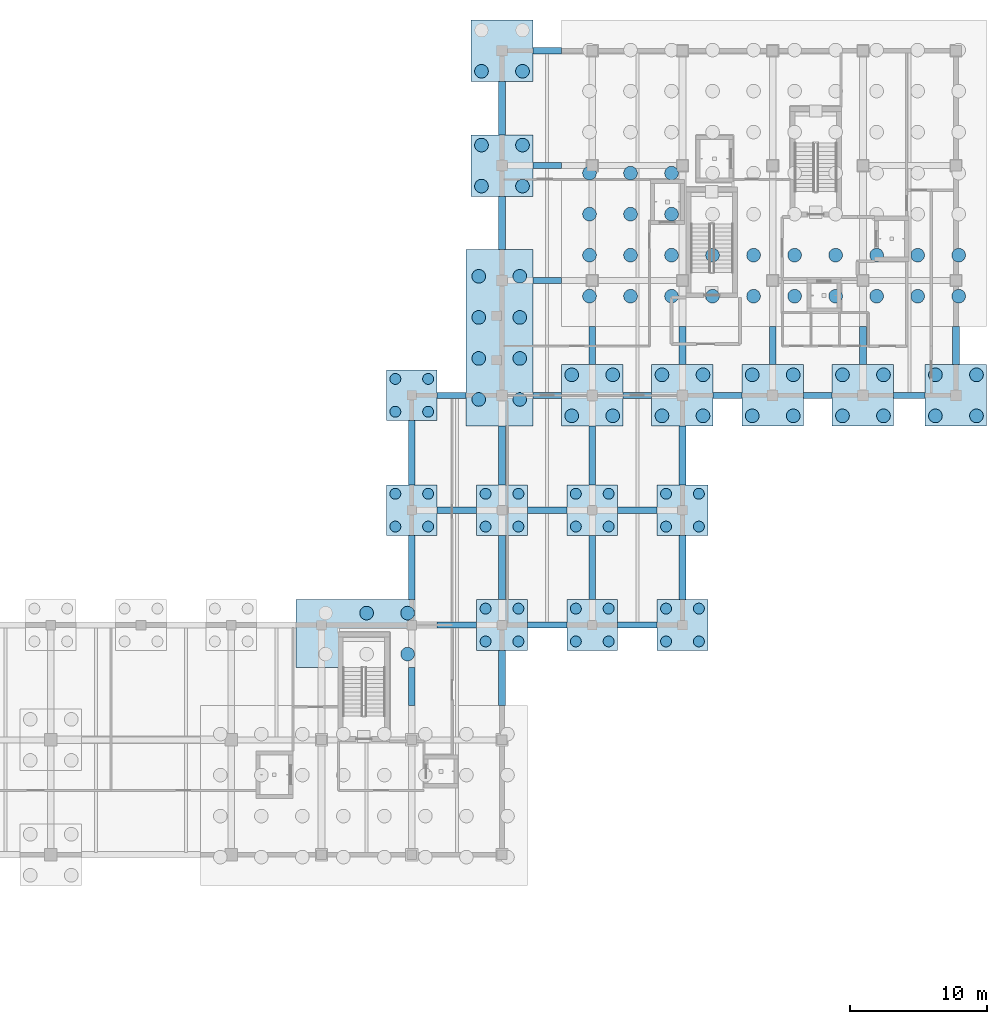
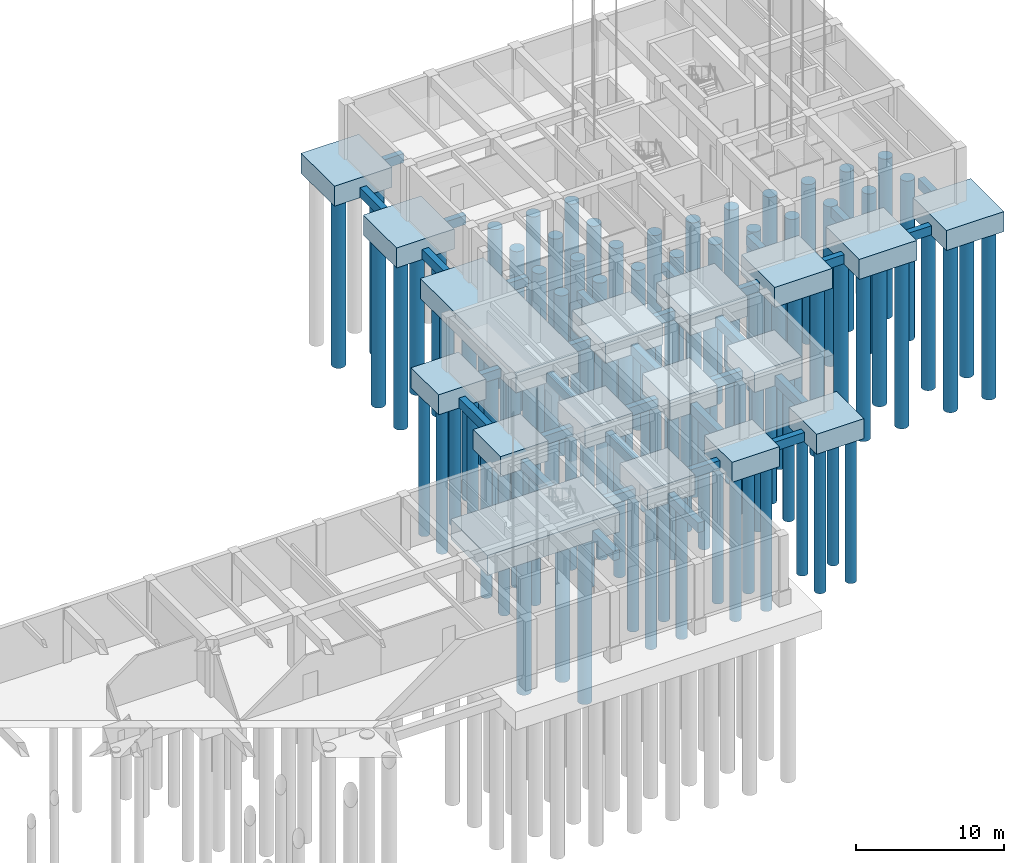
# One storey, part 4 of 44: 95 piles, 49 footings.
"""IFC4 building model written with IfcOpenShell, lengths in metres."""

from ifc_helpers import new_model, si_unit, direction, frame, origin, origin_2d, place, context, subcontext, project, spatial, rectangle, circle, extrude, material, material_profile, profile_set, type_object, element, save


model = new_model("IFC4")

# Units and contexts
model_context = context("Model", 3, precision=1e-05, world=origin(), true_north=direction((0.0, 1.0)))
body_context = subcontext(model_context, "Body", "Model", "MODEL_VIEW")
ifc_project = project(units=[si_unit("LENGTHUNIT", "METRE"), si_unit("AREAUNIT", "SQUARE_METRE"), si_unit("VOLUMEUNIT", "CUBIC_METRE"), si_unit("PLANEANGLEUNIT", "RADIAN"), si_unit("MASSUNIT", "GRAM", prefix="KILO")], contexts=[model_context])

# Site, building, storey
site_placement = place(None, origin())
site = spatial("IfcSite", under=ifc_project, at=site_placement, CompositionType="ELEMENT")
building_placement = place(site_placement, origin())
building = spatial("IfcBuilding", under=site, at=building_placement, Name="Kolvaren Faculty of Natural Sciences", CompositionType="ELEMENT")
storey_placement = place(building_placement, frame((0.0, 0.0, -4.5)))
storey = spatial("IfcBuildingStorey", under=building, at=storey_placement, Name="B01", CompositionType="ELEMENT", Elevation=-4.5)

# Piles
ifc_material = material(Name="Concrete C35/45", Category="concrete")
ifc_material_profile_1 = material_profile(ifc_material, circle(Radius=0.5, at=origin_2d()), Name="PILE D1000")
ifc_profile_set_1 = profile_set([ifc_material_profile_1], Name="Concrete C35/45")
pile_type_1 = type_object("IfcPileType", Name="BoredPile_1000", PredefinedType="BORED", material=ifc_profile_set_1)
for number, where, z_axis, x_axis, name in (
    (1, (128.89990234375, 43.074951171875, -1.949951171875), (0.0, 0.0, -1.0), (1.0, 0.0, 0.0), "Rock-socketed bored pile BP-1000 under CAP-063"),
    (2, (131.89990234375, 40.074951171875, -1.949951171875), (0.0, 0.0, -1.0), (1.0, 0.0, 0.0), "Rock-socketed bored pile BP-1000 under CAP-063"),
    (3, (131.89990234375, 43.074951171875, -1.949951171875), (0.0, 0.0, -1.0), (1.0, 0.0, 0.0), "Rock-socketed bored pile BP-1000 under CAP-063"),
    (4, (137.10009765625, 58.699951171875, -1.949951171875), (0.0, 0.0, -1.0), (1.0, 0.0, 0.0), "Rock-socketed bored pile BP-1000 under CAP-066"),
    (5, (137.10009765625, 61.699951171875, -1.949951171875), (0.0, 0.0, -1.0), (1.0, 0.0, 0.0), "Rock-socketed bored pile BP-1000 under CAP-066"),
    (6, (137.10009765625, 64.699951171875, -1.949951171875), (0.0, 0.0, -1.0), (1.0, 0.0, 0.0), "Rock-socketed bored pile BP-1000 under CAP-066"),
    (7, (137.10009765625, 67.699951171875, -1.949951171875), (0.0, 0.0, -1.0), (1.0, 0.0, 0.0), "Rock-socketed bored pile BP-1000 under CAP-066"),
    (8, (140.10009765625, 58.699951171875, -1.949951171875), (0.0, 0.0, -1.0), (1.0, 0.0, 0.0), "Rock-socketed bored pile BP-1000 under CAP-066"),
    (9, (140.10009765625, 61.699951171875, -1.949951171875), (0.0, 0.0, -1.0), (1.0, 0.0, 0.0), "Rock-socketed bored pile BP-1000 under CAP-066"),
    (10, (140.10009765625, 64.699951171875, -1.949951171875), (0.0, 0.0, -1.0), (1.0, 0.0, 0.0), "Rock-socketed bored pile BP-1000 under CAP-066"),
    (11, (140.10009765625, 67.699951171875, -1.949951171875), (0.0, 0.0, -1.0), (1.0, 0.0, 0.0), "Rock-socketed bored pile BP-1000 under CAP-066"),
    (12, (137.300048828125, 74.300048828125, -1.949951171875), (0.0, 0.0, -1.0), (1.0, 0.0, 0.0), "Rock-socketed bored pile BP-1000 under CAP-067"),
    (13, (137.300048828125, 77.300048828125, -1.949951171875), (0.0, 0.0, -1.0), (1.0, 0.0, 0.0), "Rock-socketed bored pile BP-1000 under CAP-067"),
    (14, (140.300048828125, 74.300048828125, -1.949951171875), (0.0, 0.0, -1.0), (1.0, 0.0, 0.0), "Rock-socketed bored pile BP-1000 under CAP-067"),
    (15, (140.300048828125, 77.300048828125, -1.949951171875), (0.0, 0.0, -1.0), (1.0, 0.0, 0.0), "Rock-socketed bored pile BP-1000 under CAP-067"),
    (16, (137.300048828125, 82.699951171875, -1.949951171875), (0.0, 0.0, -1.0), (1.0, 0.0, 0.0), "Rock-socketed bored pile BP-1000 under CAP-068"),
    (17, (140.300048828125, 82.699951171875, -1.949951171875), (0.0, 0.0, -1.0), (1.0, 0.0, 0.0), "Rock-socketed bored pile BP-1000 under CAP-068"),
    (18, (143.89990234375, 57.5, -1.949951171875), (0.0, 0.0, -1.0), (1.0, 0.0, 0.0), "Rock-socketed bored pile BP-1000 under CAP-071"),
    (19, (143.89990234375, 60.5, -1.949951171875), (0.0, 0.0, -1.0), (1.0, 0.0, 0.0), "Rock-socketed bored pile BP-1000 under CAP-071"),
    (20, (146.89990234375, 57.5, -1.949951171875), (0.0, 0.0, -1.0), (1.0, 0.0, 0.0), "Rock-socketed bored pile BP-1000 under CAP-071"),
    (21, (146.89990234375, 60.5, -1.949951171875), (0.0, 0.0, -1.0), (1.0, 0.0, 0.0), "Rock-socketed bored pile BP-1000 under CAP-071"),
):
    element("IfcPile", number, at=place(storey_placement, frame(where, z_axis=z_axis, x_axis=x_axis)), inside=storey, type_object=pile_type_1, Name=name, PredefinedType="BORED", context=body_context, shape_type="SweptSolid", body=[
        extrude(circle(Radius=0.5, at=origin_2d()), origin(), (0.0, 0.0, 1.0), 13.85009765625),
    ])
for number, where, z_axis, x_axis, name in (
    (22, (145.199951171875, 66.25, -2.60009765625), (0.0, 0.0, -1.0), (1.0, 0.0, 0.0), "Rock-socketed bored pile BP-1000 under CAP-072"),
    (23, (145.199951171875, 69.25, -2.60009765625), (0.0, 0.0, -1.0), (1.0, 0.0, 0.0), "Rock-socketed bored pile BP-1000 under CAP-072"),
    (24, (145.199951171875, 72.25, -2.60009765625), (0.0, 0.0, -1.0), (1.0, 0.0, 0.0), "Rock-socketed bored pile BP-1000 under CAP-072"),
    (25, (145.199951171875, 75.25, -2.60009765625), (0.0, 0.0, -1.0), (1.0, 0.0, 0.0), "Rock-socketed bored pile BP-1000 under CAP-072"),
    (26, (148.199951171875, 66.25, -2.60009765625), (0.0, 0.0, -1.0), (1.0, 0.0, 0.0), "Rock-socketed bored pile BP-1000 under CAP-072"),
    (27, (148.199951171875, 69.25, -2.60009765625), (0.0, 0.0, -1.0), (1.0, 0.0, 0.0), "Rock-socketed bored pile BP-1000 under CAP-072"),
    (28, (148.199951171875, 72.25, -2.60009765625), (0.0, 0.0, -1.0), (1.0, 0.0, 0.0), "Rock-socketed bored pile BP-1000 under CAP-072"),
    (29, (148.199951171875, 75.25, -2.60009765625), (0.0, 0.0, -1.0), (1.0, 0.0, 0.0), "Rock-socketed bored pile BP-1000 under CAP-072"),
    (30, (151.199951171875, 66.25, -2.60009765625), (0.0, 0.0, -1.0), (1.0, 0.0, 0.0), "Rock-socketed bored pile BP-1000 under CAP-072"),
    (31, (151.199951171875, 69.25, -2.60009765625), (0.0, 0.0, -1.0), (1.0, 0.0, 0.0), "Rock-socketed bored pile BP-1000 under CAP-072"),
    (32, (151.199951171875, 72.25, -2.60009765625), (0.0, 0.0, -1.0), (1.0, 0.0, 0.0), "Rock-socketed bored pile BP-1000 under CAP-072"),
    (33, (151.199951171875, 75.25, -2.60009765625), (0.0, 0.0, -1.0), (1.0, 0.0, 0.0), "Rock-socketed bored pile BP-1000 under CAP-072"),
    (34, (154.199951171875, 66.25, -2.60009765625), (0.0, 0.0, -1.0), (1.0, 0.0, 0.0), "Rock-socketed bored pile BP-1000 under CAP-072"),
    (35, (154.199951171875, 69.25, -2.60009765625), (0.0, 0.0, -1.0), (1.0, 0.0, 0.0), "Rock-socketed bored pile BP-1000 under CAP-072"),
    (36, (157.199951171875, 66.25, -2.60009765625), (0.0, 0.0, -1.0), (1.0, 0.0, 0.0), "Rock-socketed bored pile BP-1000 under CAP-072"),
    (37, (157.199951171875, 69.25, -2.60009765625), (0.0, 0.0, -1.0), (1.0, 0.0, 0.0), "Rock-socketed bored pile BP-1000 under CAP-072"),
    (38, (160.199951171875, 66.25, -2.60009765625), (0.0, 0.0, -1.0), (1.0, 0.0, 0.0), "Rock-socketed bored pile BP-1000 under CAP-072"),
    (39, (160.199951171875, 69.25, -2.60009765625), (0.0, 0.0, -1.0), (1.0, 0.0, 0.0), "Rock-socketed bored pile BP-1000 under CAP-072"),
    (40, (163.199951171875, 66.25, -2.60009765625), (0.0, 0.0, -1.0), (1.0, 0.0, 0.0), "Rock-socketed bored pile BP-1000 under CAP-072"),
    (41, (163.199951171875, 69.25, -2.60009765625), (0.0, 0.0, -1.0), (1.0, 0.0, 0.0), "Rock-socketed bored pile BP-1000 under CAP-072"),
    (42, (166.199951171875, 66.25, -2.60009765625), (0.0, 0.0, -1.0), (1.0, 0.0, 0.0), "Rock-socketed bored pile BP-1000 under CAP-072"),
    (43, (166.199951171875, 69.25, -2.60009765625), (0.0, 0.0, -1.0), (1.0, 0.0, 0.0), "Rock-socketed bored pile BP-1000 under CAP-072"),
    (44, (169.199951171875, 66.25, -2.60009765625), (0.0, 0.0, -1.0), (1.0, 0.0, 0.0), "Rock-socketed bored pile BP-1000 under CAP-072"),
    (45, (169.199951171875, 69.25, -2.60009765625), (0.0, 0.0, -1.0), (1.0, 0.0, 0.0), "Rock-socketed bored pile BP-1000 under CAP-072"),
    (46, (172.199951171875, 66.25, -2.60009765625), (0.0, 0.0, -1.0), (1.0, 0.0, 0.0), "Rock-socketed bored pile BP-1000 under CAP-072"),
    (47, (172.199951171875, 69.25, -2.60009765625), (0.0, 0.0, -1.0), (1.0, 0.0, 0.0), "Rock-socketed bored pile BP-1000 under CAP-072"),
):
    element("IfcPile", number, at=place(storey_placement, frame(where, z_axis=z_axis, x_axis=x_axis)), inside=storey, type_object=pile_type_1, Name=name, PredefinedType="BORED", context=body_context, shape_type="SweptSolid", body=[
        extrude(circle(Radius=0.5, at=origin_2d()), origin(), (0.0, 0.0, 1.0), 13.199951171875),
    ])
for number, where, z_axis, x_axis, name in (
    (48, (150.5, 57.5, -1.949951171875), (0.0, 0.0, -1.0), (1.0, 0.0, 0.0), "Rock-socketed bored pile BP-1000 under CAP-075"),
    (49, (150.5, 60.5, -1.949951171875), (0.0, 0.0, -1.0), (1.0, 0.0, 0.0), "Rock-socketed bored pile BP-1000 under CAP-075"),
    (50, (153.5, 57.5, -1.949951171875), (0.0, 0.0, -1.0), (1.0, 0.0, 0.0), "Rock-socketed bored pile BP-1000 under CAP-075"),
    (51, (153.5, 60.5, -1.949951171875), (0.0, 0.0, -1.0), (1.0, 0.0, 0.0), "Rock-socketed bored pile BP-1000 under CAP-075"),
    (52, (157.10009765625, 57.5, -1.949951171875), (0.0, 0.0, -1.0), (1.0, 0.0, 0.0), "Rock-socketed bored pile BP-1000 under CAP-078"),
    (53, (157.10009765625, 60.5, -1.949951171875), (0.0, 0.0, -1.0), (1.0, 0.0, 0.0), "Rock-socketed bored pile BP-1000 under CAP-078"),
    (54, (160.10009765625, 57.5, -1.949951171875), (0.0, 0.0, -1.0), (1.0, 0.0, 0.0), "Rock-socketed bored pile BP-1000 under CAP-078"),
    (55, (160.10009765625, 60.5, -1.949951171875), (0.0, 0.0, -1.0), (1.0, 0.0, 0.0), "Rock-socketed bored pile BP-1000 under CAP-078"),
    (56, (163.699951171875, 57.5, -1.949951171875), (0.0, 0.0, -1.0), (1.0, 0.0, 0.0), "Rock-socketed bored pile BP-1000 under CAP-079"),
    (57, (163.699951171875, 60.5, -1.949951171875), (0.0, 0.0, -1.0), (1.0, 0.0, 0.0), "Rock-socketed bored pile BP-1000 under CAP-079"),
    (58, (166.699951171875, 57.5, -1.949951171875), (0.0, 0.0, -1.0), (1.0, 0.0, 0.0), "Rock-socketed bored pile BP-1000 under CAP-079"),
    (59, (166.699951171875, 60.5, -1.949951171875), (0.0, 0.0, -1.0), (1.0, 0.0, 0.0), "Rock-socketed bored pile BP-1000 under CAP-079"),
    (60, (170.5, 57.5, -1.949951171875), (0.0, 0.0, -1.0), (1.0, 0.0, 0.0), "Rock-socketed bored pile BP-1000 under CAP-080"),
    (61, (170.5, 60.5, -1.949951171875), (0.0, 0.0, -1.0), (1.0, 0.0, 0.0), "Rock-socketed bored pile BP-1000 under CAP-080"),
    (62, (173.5, 57.5, -1.949951171875), (0.0, 0.0, -1.0), (1.0, 0.0, 0.0), "Rock-socketed bored pile BP-1000 under CAP-080"),
    (63, (173.5, 60.5, -1.949951171875), (0.0, 0.0, -1.0), (1.0, 0.0, 0.0), "Rock-socketed bored pile BP-1000 under CAP-080"),
):
    element("IfcPile", number, at=place(storey_placement, frame(where, z_axis=z_axis, x_axis=x_axis)), inside=storey, type_object=pile_type_1, Name=name, PredefinedType="BORED", context=body_context, shape_type="SweptSolid", body=[
        extrude(circle(Radius=0.5, at=origin_2d()), origin(), (0.0, 0.0, 1.0), 13.85009765625),
    ])
ifc_material_profile_2 = material_profile(ifc_material, circle(Radius=0.39990234375, at=origin_2d()), Name="PILE D800")
ifc_profile_set_2 = profile_set([ifc_material_profile_2], Name="Concrete C35/45")
pile_type_2 = type_object("IfcPileType", Name="BoredPile_800", PredefinedType="BORED", material=ifc_profile_set_2)
for number, where, z_axis, x_axis, name in (
    (64, (131.0, 49.39990234375, -1.949951171875), (0.0, 0.0, -1.0), (1.0, 0.0, 0.0), "Rock-socketed bored pile BP-800 under CAP-064"),
    (65, (131.0, 51.800048828125, -1.949951171875), (0.0, 0.0, -1.0), (1.0, 0.0, 0.0), "Rock-socketed bored pile BP-800 under CAP-064"),
    (66, (133.39990234375, 49.39990234375, -1.949951171875), (0.0, 0.0, -1.0), (1.0, 0.0, 0.0), "Rock-socketed bored pile BP-800 under CAP-064"),
    (67, (133.39990234375, 51.800048828125, -1.949951171875), (0.0, 0.0, -1.0), (1.0, 0.0, 0.0), "Rock-socketed bored pile BP-800 under CAP-064"),
    (68, (131.0, 57.800048828125, -1.949951171875), (0.0, 0.0, -1.0), (1.0, 0.0, 0.0), "Rock-socketed bored pile BP-800 under CAP-065"),
    (69, (131.0, 60.199951171875, -1.949951171875), (0.0, 0.0, -1.0), (1.0, 0.0, 0.0), "Rock-socketed bored pile BP-800 under CAP-065"),
    (70, (133.39990234375, 57.800048828125, -1.949951171875), (0.0, 0.0, -1.0), (1.0, 0.0, 0.0), "Rock-socketed bored pile BP-800 under CAP-065"),
    (71, (133.39990234375, 60.199951171875, -1.949951171875), (0.0, 0.0, -1.0), (1.0, 0.0, 0.0), "Rock-socketed bored pile BP-800 under CAP-065"),
    (72, (137.60009765625, 41.0, -1.949951171875), (0.0, 0.0, -1.0), (1.0, 0.0, 0.0), "Rock-socketed bored pile BP-800 under CAP-069"),
    (73, (137.60009765625, 43.39990234375, -1.949951171875), (0.0, 0.0, -1.0), (1.0, 0.0, 0.0), "Rock-socketed bored pile BP-800 under CAP-069"),
    (74, (140.0, 41.0, -1.949951171875), (0.0, 0.0, -1.0), (1.0, 0.0, 0.0), "Rock-socketed bored pile BP-800 under CAP-069"),
    (75, (140.0, 43.39990234375, -1.949951171875), (0.0, 0.0, -1.0), (1.0, 0.0, 0.0), "Rock-socketed bored pile BP-800 under CAP-069"),
    (76, (137.60009765625, 49.39990234375, -1.949951171875), (0.0, 0.0, -1.0), (1.0, 0.0, 0.0), "Rock-socketed bored pile BP-800 under CAP-070"),
    (77, (137.60009765625, 51.800048828125, -1.949951171875), (0.0, 0.0, -1.0), (1.0, 0.0, 0.0), "Rock-socketed bored pile BP-800 under CAP-070"),
    (78, (140.0, 49.39990234375, -1.949951171875), (0.0, 0.0, -1.0), (1.0, 0.0, 0.0), "Rock-socketed bored pile BP-800 under CAP-070"),
    (79, (140.0, 51.800048828125, -1.949951171875), (0.0, 0.0, -1.0), (1.0, 0.0, 0.0), "Rock-socketed bored pile BP-800 under CAP-070"),
    (80, (144.199951171875, 41.0, -1.949951171875), (0.0, 0.0, -1.0), (1.0, 0.0, 0.0), "Rock-socketed bored pile BP-800 under CAP-073"),
    (81, (144.199951171875, 43.39990234375, -1.949951171875), (0.0, 0.0, -1.0), (1.0, 0.0, 0.0), "Rock-socketed bored pile BP-800 under CAP-073"),
    (82, (146.60009765625, 41.0, -1.949951171875), (0.0, 0.0, -1.0), (1.0, 0.0, 0.0), "Rock-socketed bored pile BP-800 under CAP-073"),
    (83, (146.60009765625, 43.39990234375, -1.949951171875), (0.0, 0.0, -1.0), (1.0, 0.0, 0.0), "Rock-socketed bored pile BP-800 under CAP-073"),
    (84, (144.199951171875, 49.39990234375, -1.949951171875), (0.0, 0.0, -1.0), (1.0, 0.0, 0.0), "Rock-socketed bored pile BP-800 under CAP-074"),
    (85, (144.199951171875, 51.800048828125, -1.949951171875), (0.0, 0.0, -1.0), (1.0, 0.0, 0.0), "Rock-socketed bored pile BP-800 under CAP-074"),
    (86, (146.60009765625, 49.39990234375, -1.949951171875), (0.0, 0.0, -1.0), (1.0, 0.0, 0.0), "Rock-socketed bored pile BP-800 under CAP-074"),
    (87, (146.60009765625, 51.800048828125, -1.949951171875), (0.0, 0.0, -1.0), (1.0, 0.0, 0.0), "Rock-socketed bored pile BP-800 under CAP-074"),
    (88, (150.800048828125, 41.0, -1.949951171875), (0.0, 0.0, -1.0), (1.0, 0.0, 0.0), "Rock-socketed bored pile BP-800 under CAP-076"),
    (89, (150.800048828125, 43.39990234375, -1.949951171875), (0.0, 0.0, -1.0), (1.0, 0.0, 0.0), "Rock-socketed bored pile BP-800 under CAP-076"),
    (90, (153.199951171875, 41.0, -1.949951171875), (0.0, 0.0, -1.0), (1.0, 0.0, 0.0), "Rock-socketed bored pile BP-800 under CAP-076"),
    (91, (153.199951171875, 43.39990234375, -1.949951171875), (0.0, 0.0, -1.0), (1.0, 0.0, 0.0), "Rock-socketed bored pile BP-800 under CAP-076"),
    (92, (150.800048828125, 49.39990234375, -1.949951171875), (0.0, 0.0, -1.0), (1.0, 0.0, 0.0), "Rock-socketed bored pile BP-800 under CAP-077"),
    (93, (150.800048828125, 51.800048828125, -1.949951171875), (0.0, 0.0, -1.0), (1.0, 0.0, 0.0), "Rock-socketed bored pile BP-800 under CAP-077"),
    (94, (153.199951171875, 49.39990234375, -1.949951171875), (0.0, 0.0, -1.0), (1.0, 0.0, 0.0), "Rock-socketed bored pile BP-800 under CAP-077"),
    (95, (153.199951171875, 51.800048828125, -1.949951171875), (0.0, 0.0, -1.0), (1.0, 0.0, 0.0), "Rock-socketed bored pile BP-800 under CAP-077"),
):
    element("IfcPile", number, at=place(storey_placement, frame(where, z_axis=z_axis, x_axis=x_axis)), inside=storey, type_object=pile_type_2, Name=name, PredefinedType="BORED", context=body_context, shape_type="SweptSolid", body=[
        extrude(circle(Radius=0.39990234375, at=origin_2d()), origin(), (0.0, 0.0, 1.0), 11.949951171875),
    ])

# Footings
ifc_material_profile_3 = material_profile(ifc_material, rectangle(XDim=0.449951171875, YDim=0.75, at=origin_2d()), Name="RC FB 450x750")
ifc_profile_set_3 = profile_set([ifc_material_profile_3], Name="Concrete C35/45")
footing_type_1 = type_object("IfcFootingType", Name="FootingTieBeam_450x750", PredefinedType="FOOTING_BEAM", material=ifc_profile_set_3)
footing_1_placement = place(storey_placement, frame((134.050048828125, 42.199951171875, -1.60009765625), z_axis=(1.0, 0.0, 0.0), x_axis=(0.0, 1.0, 0.0)))
element("IfcFooting", 96, at=footing_1_placement, inside=storey, type_object=footing_type_1, Name="B01 orthogonal foundation tie beam FB-02", PredefinedType="FOOTING_BEAM", context=body_context, shape_type="SweptSolid", body=[
    extrude(rectangle(XDim=0.449951171875, YDim=0.75, at=origin_2d()), origin(), (0.0, 0.0, 1.0), 2.89990234375),
])
footing_2_placement = place(storey_placement, frame((140.64990234375, 42.199951171875, -1.60009765625), z_axis=(1.0, 0.0, 0.0), x_axis=(0.0, 1.0, 0.0)))
element("IfcFooting", 97, at=footing_2_placement, inside=storey, type_object=footing_type_1, Name="B01 orthogonal foundation tie beam FB-02", PredefinedType="FOOTING_BEAM", context=body_context, shape_type="SweptSolid", body=[
    extrude(rectangle(XDim=0.449951171875, YDim=0.75, at=origin_2d()), origin(), (0.0, 0.0, 1.0), 2.900146484375),
])
for number, where, z_axis, x_axis, name in (
    (98, (147.25, 42.199951171875, -1.60009765625), (1.0, 0.0, 0.0), (0.0, 1.0, 0.0), "B01 orthogonal foundation tie beam FB-02"),
    (99, (134.050048828125, 50.60009765625, -1.60009765625), (1.0, 0.0, 0.0), (0.0, 1.0, 0.0), "B01 orthogonal foundation tie beam FB-02"),
):
    element("IfcFooting", number, at=place(storey_placement, frame(where, z_axis=z_axis, x_axis=x_axis)), inside=storey, type_object=footing_type_1, Name=name, PredefinedType="FOOTING_BEAM", context=body_context, shape_type="SweptSolid", body=[
        extrude(rectangle(XDim=0.449951171875, YDim=0.75, at=origin_2d()), origin(), (0.0, 0.0, 1.0), 2.89990234375),
    ])
footing_3_placement = place(storey_placement, frame((140.64990234375, 50.60009765625, -1.60009765625), z_axis=(1.0, 0.0, 0.0), x_axis=(0.0, 1.0, 0.0)))
element("IfcFooting", 100, at=footing_3_placement, inside=storey, type_object=footing_type_1, Name="B01 orthogonal foundation tie beam FB-02", PredefinedType="FOOTING_BEAM", context=body_context, shape_type="SweptSolid", body=[
    extrude(rectangle(XDim=0.449951171875, YDim=0.75, at=origin_2d()), origin(), (0.0, 0.0, 1.0), 2.900146484375),
])
footing_4_placement = place(storey_placement, frame((147.25, 50.60009765625, -1.60009765625), z_axis=(1.0, 0.0, 0.0), x_axis=(0.0, 1.0, 0.0)))
element("IfcFooting", 101, at=footing_4_placement, inside=storey, type_object=footing_type_1, Name="B01 orthogonal foundation tie beam FB-02", PredefinedType="FOOTING_BEAM", context=body_context, shape_type="SweptSolid", body=[
    extrude(rectangle(XDim=0.449951171875, YDim=0.75, at=origin_2d()), origin(), (0.0, 0.0, 1.0), 2.89990234375),
])
for number, where, z_axis, x_axis, name in (
    (102, (134.050048828125, 59.0, -1.60009765625), (1.0, 0.0, 0.0), (0.0, 1.0, 0.0), "B01 orthogonal foundation tie beam FB-02"),
    (103, (141.050048828125, 59.0, -1.60009765625), (1.0, 0.0, 0.0), (0.0, 1.0, 0.0), "B01 orthogonal foundation tie beam FB-02"),
):
    element("IfcFooting", number, at=place(storey_placement, frame(where, z_axis=z_axis, x_axis=x_axis)), inside=storey, type_object=footing_type_1, Name=name, PredefinedType="FOOTING_BEAM", context=body_context, shape_type="SweptSolid", body=[
        extrude(rectangle(XDim=0.449951171875, YDim=0.75, at=origin_2d()), origin(), (0.0, 0.0, 1.0), 2.099853515625),
    ])
for number, where, z_axis, x_axis, name in (
    (104, (147.64990234375, 59.0, -1.60009765625), (1.0, 0.0, 0.0), (0.0, 1.0, 0.0), "B01 orthogonal foundation tie beam FB-02"),
    (105, (154.25, 59.0, -1.60009765625), (1.0, 0.0, 0.0), (0.0, 1.0, 0.0), "B01 orthogonal foundation tie beam FB-02"),
):
    element("IfcFooting", number, at=place(storey_placement, frame(where, z_axis=z_axis, x_axis=x_axis)), inside=storey, type_object=footing_type_1, Name=name, PredefinedType="FOOTING_BEAM", context=body_context, shape_type="SweptSolid", body=[
        extrude(rectangle(XDim=0.449951171875, YDim=0.75, at=origin_2d()), origin(), (0.0, 0.0, 1.0), 2.10009765625),
    ])
footing_5_placement = place(storey_placement, frame((160.85009765625, 59.0, -1.60009765625), z_axis=(1.0, 0.0, 0.0), x_axis=(0.0, 1.0, 0.0)))
element("IfcFooting", 106, at=footing_5_placement, inside=storey, type_object=footing_type_1, Name="B01 orthogonal foundation tie beam FB-02", PredefinedType="FOOTING_BEAM", context=body_context, shape_type="SweptSolid", body=[
    extrude(rectangle(XDim=0.449951171875, YDim=0.75, at=origin_2d()), origin(), (0.0, 0.0, 1.0), 2.099853515625),
])
footing_6_placement = place(storey_placement, frame((167.449951171875, 59.0, -1.60009765625), z_axis=(1.0, 0.0, 0.0), x_axis=(0.0, 1.0, 0.0)))
element("IfcFooting", 107, at=footing_6_placement, inside=storey, type_object=footing_type_1, Name="B01 orthogonal foundation tie beam FB-02", PredefinedType="FOOTING_BEAM", context=body_context, shape_type="SweptSolid", body=[
    extrude(rectangle(XDim=0.449951171875, YDim=0.75, at=origin_2d()), origin(), (0.0, 0.0, 1.0), 2.300048828125),
])
for number, where, z_axis, x_axis, name in (
    (108, (141.050048828125, 67.39990234375, -1.60009765625), (1.0, 0.0, 0.0), (0.0, 1.0, 0.0), "B01 orthogonal foundation tie beam FB-02"),
    (109, (141.050048828125, 75.800048828125, -1.60009765625), (1.0, 0.0, 0.0), (0.0, 1.0, 0.0), "B01 orthogonal foundation tie beam FB-02"),
    (110, (141.050048828125, 84.199951171875, -1.60009765625), (1.0, 0.0, 0.0), (0.0, 1.0, 0.0), "B01 orthogonal foundation tie beam FB-02"),
):
    element("IfcFooting", number, at=place(storey_placement, frame(where, z_axis=z_axis, x_axis=x_axis)), inside=storey, type_object=footing_type_1, Name=name, PredefinedType="FOOTING_BEAM", context=body_context, shape_type="SweptSolid", body=[
        extrude(rectangle(XDim=0.449951171875, YDim=0.75, at=origin_2d()), origin(), (0.0, 0.0, 1.0), 2.099853515625),
    ])
ifc_material_profile_4 = material_profile(ifc_material, rectangle(XDim=0.5, YDim=0.800048828125, at=origin_2d()), Name="RC FB 500x800")
ifc_profile_set_4 = profile_set([ifc_material_profile_4], Name="Concrete C35/45")
footing_type_2 = type_object("IfcFootingType", Name="FootingTieBeam_500x800", PredefinedType="FOOTING_BEAM", material=ifc_profile_set_4)
footing_7_placement = place(storey_placement, frame((132.199951171875, 36.300048828125, -1.6201171875), z_axis=(0.0, 1.0, 0.0), x_axis=(-1.0, 0.0, 0.0)))
element("IfcFooting", 111, at=footing_7_placement, inside=storey, type_object=footing_type_2, Name="B01 orthogonal foundation tie beam FB-03", PredefinedType="FOOTING_BEAM", context=body_context, shape_type="SweptSolid", body=[
    extrude(rectangle(XDim=0.5, YDim=0.800048828125, at=origin_2d()), origin(), (0.0, 0.0, 1.0), 2.800048828125),
])
for number, where, z_axis, x_axis, name in (
    (112, (132.199951171875, 44.050048828125, -1.6201171875), (0.0, 1.0, 0.0), (-1.0, 0.0, 0.0), "B01 orthogonal foundation tie beam FB-03"),
    (113, (132.199951171875, 52.449951171875, -1.6201171875), (0.0, 1.0, 0.0), (-1.0, 0.0, 0.0), "B01 orthogonal foundation tie beam FB-03"),
):
    element("IfcFooting", number, at=place(storey_placement, frame(where, z_axis=z_axis, x_axis=x_axis)), inside=storey, type_object=footing_type_2, Name=name, PredefinedType="FOOTING_BEAM", context=body_context, shape_type="SweptSolid", body=[
        extrude(rectangle(XDim=0.5, YDim=0.800048828125, at=origin_2d()), origin(), (0.0, 0.0, 1.0), 4.699951171875),
    ])
footing_8_placement = place(storey_placement, frame((138.800048828125, 36.300048828125, -1.6201171875), z_axis=(0.0, 1.0, 0.0), x_axis=(-1.0, 0.0, 0.0)))
element("IfcFooting", 114, at=footing_8_placement, inside=storey, type_object=footing_type_2, Name="B01 orthogonal foundation tie beam FB-03", PredefinedType="FOOTING_BEAM", context=body_context, shape_type="SweptSolid", body=[
    extrude(rectangle(XDim=0.5, YDim=0.800048828125, at=origin_2d()), origin(), (0.0, 0.0, 1.0), 4.050048828125),
])
footing_9_placement = place(storey_placement, frame((138.800048828125, 44.050048828125, -1.6201171875), z_axis=(0.0, 1.0, 0.0), x_axis=(-1.0, 0.0, 0.0)))
element("IfcFooting", 115, at=footing_9_placement, inside=storey, type_object=footing_type_2, Name="B01 orthogonal foundation tie beam FB-03", PredefinedType="FOOTING_BEAM", context=body_context, shape_type="SweptSolid", body=[
    extrude(rectangle(XDim=0.5, YDim=0.800048828125, at=origin_2d()), origin(), (0.0, 0.0, 1.0), 4.699951171875),
])
footing_10_placement = place(storey_placement, frame((138.800048828125, 52.449951171875, -1.6201171875), z_axis=(0.0, 1.0, 0.0), x_axis=(-1.0, 0.0, 0.0)))
element("IfcFooting", 116, at=footing_10_placement, inside=storey, type_object=footing_type_2, Name="B01 orthogonal foundation tie beam FB-03", PredefinedType="FOOTING_BEAM", context=body_context, shape_type="SweptSolid", body=[
    extrude(rectangle(XDim=0.5, YDim=0.800048828125, at=origin_2d()), origin(), (0.0, 0.0, 1.0), 4.300048828125),
])
footing_11_placement = place(storey_placement, frame((138.800048828125, 69.64990234375, -1.6201171875), z_axis=(0.0, 1.0, 0.0), x_axis=(-1.0, 0.0, 0.0)))
element("IfcFooting", 117, at=footing_11_placement, inside=storey, type_object=footing_type_2, Name="B01 orthogonal foundation tie beam FB-03", PredefinedType="FOOTING_BEAM", context=body_context, shape_type="SweptSolid", body=[
    extrude(rectangle(XDim=0.5, YDim=0.800048828125, at=origin_2d()), origin(), (0.0, 0.0, 1.0), 3.900146484375),
])
footing_12_placement = place(storey_placement, frame((138.800048828125, 78.050048828125, -1.6201171875), z_axis=(0.0, 1.0, 0.0), x_axis=(-1.0, 0.0, 0.0)))
element("IfcFooting", 118, at=footing_12_placement, inside=storey, type_object=footing_type_2, Name="B01 orthogonal foundation tie beam FB-03", PredefinedType="FOOTING_BEAM", context=body_context, shape_type="SweptSolid", body=[
    extrude(rectangle(XDim=0.5, YDim=0.800048828125, at=origin_2d()), origin(), (0.0, 0.0, 1.0), 3.89990234375),
])
footing_13_placement = place(storey_placement, frame((145.39990234375, 44.050048828125, -1.6201171875), z_axis=(0.0, 1.0, 0.0), x_axis=(-1.0, 0.0, 0.0)))
element("IfcFooting", 119, at=footing_13_placement, inside=storey, type_object=footing_type_2, Name="B01 orthogonal foundation tie beam FB-03", PredefinedType="FOOTING_BEAM", context=body_context, shape_type="SweptSolid", body=[
    extrude(rectangle(XDim=0.5, YDim=0.800048828125, at=origin_2d()), origin(), (0.0, 0.0, 1.0), 4.699951171875),
])
footing_14_placement = place(storey_placement, frame((145.39990234375, 52.449951171875, -1.6201171875), z_axis=(0.0, 1.0, 0.0), x_axis=(-1.0, 0.0, 0.0)))
element("IfcFooting", 120, at=footing_14_placement, inside=storey, type_object=footing_type_2, Name="B01 orthogonal foundation tie beam FB-03", PredefinedType="FOOTING_BEAM", context=body_context, shape_type="SweptSolid", body=[
    extrude(rectangle(XDim=0.5, YDim=0.800048828125, at=origin_2d()), origin(), (0.0, 0.0, 1.0), 4.300048828125),
])
footing_15_placement = place(storey_placement, frame((145.39990234375, 61.25, -1.6201171875), z_axis=(0.0, 1.0, 0.0), x_axis=(-1.0, 0.0, 0.0)))
element("IfcFooting", 121, at=footing_15_placement, inside=storey, type_object=footing_type_2, Name="B01 orthogonal foundation tie beam FB-03", PredefinedType="FOOTING_BEAM", context=body_context, shape_type="SweptSolid", body=[
    extrude(rectangle(XDim=0.5, YDim=0.800048828125, at=origin_2d()), origin(), (0.0, 0.0, 1.0), 2.800048828125),
])
footing_16_placement = place(storey_placement, frame((152.0, 44.050048828125, -1.6201171875), z_axis=(0.0, 1.0, 0.0), x_axis=(-1.0, 0.0, 0.0)))
element("IfcFooting", 122, at=footing_16_placement, inside=storey, type_object=footing_type_2, Name="B01 orthogonal foundation tie beam FB-03", PredefinedType="FOOTING_BEAM", context=body_context, shape_type="SweptSolid", body=[
    extrude(rectangle(XDim=0.5, YDim=0.800048828125, at=origin_2d()), origin(), (0.0, 0.0, 1.0), 4.699951171875),
])
footing_17_placement = place(storey_placement, frame((152.0, 52.449951171875, -1.6201171875), z_axis=(0.0, 1.0, 0.0), x_axis=(-1.0, 0.0, 0.0)))
element("IfcFooting", 123, at=footing_17_placement, inside=storey, type_object=footing_type_2, Name="B01 orthogonal foundation tie beam FB-03", PredefinedType="FOOTING_BEAM", context=body_context, shape_type="SweptSolid", body=[
    extrude(rectangle(XDim=0.5, YDim=0.800048828125, at=origin_2d()), origin(), (0.0, 0.0, 1.0), 4.300048828125),
])
for number, where, z_axis, x_axis, name in (
    (124, (152.0, 61.25, -1.6201171875), (0.0, 1.0, 0.0), (-1.0, 0.0, 0.0), "B01 orthogonal foundation tie beam FB-03"),
    (125, (158.60009765625, 61.25, -1.6201171875), (0.0, 1.0, 0.0), (-1.0, 0.0, 0.0), "B01 orthogonal foundation tie beam FB-03"),
    (126, (165.199951171875, 61.25, -1.6201171875), (0.0, 1.0, 0.0), (-1.0, 0.0, 0.0), "B01 orthogonal foundation tie beam FB-03"),
    (127, (172.0, 61.25, -1.6201171875), (0.0, 1.0, 0.0), (-1.0, 0.0, 0.0), "B01 orthogonal foundation tie beam FB-03"),
):
    element("IfcFooting", number, at=place(storey_placement, frame(where, z_axis=z_axis, x_axis=x_axis)), inside=storey, type_object=footing_type_2, Name=name, PredefinedType="FOOTING_BEAM", context=body_context, shape_type="SweptSolid", body=[
        extrude(rectangle(XDim=0.5, YDim=0.800048828125, at=origin_2d()), origin(), (0.0, 0.0, 1.0), 2.800048828125),
    ])
footing_type_3 = type_object("IfcFootingType", Name="PileCap_10300x4950x1650", PredefinedType="PILE_CAP", material=ifc_material)
footing_18_placement = place(storey_placement, frame((128.89990234375, 41.574951171875, -2.050048828125), z_axis=(0.0, 0.0, 1.0), x_axis=(1.0, 0.0, 0.0)))
element("IfcFooting", 128, at=footing_18_placement, inside=storey, type_object=footing_type_3, Name="B01 reinforced concrete pile cap PC-07 (CAP-063)", PredefinedType="PILE_CAP", context=body_context, shape_type="SweptSolid", body=[
    extrude(rectangle(XDim=10.300048828125, YDim=4.949951171875, at=origin_2d()), origin(), (0.0, 0.0, 1.0), 1.64990234375),
])
footing_type_4 = type_object("IfcFootingType", Name="PileCap_3700x3700x1650", PredefinedType="PILE_CAP", material=ifc_material)
for number, where, z_axis, x_axis, name in (
    (129, (132.199951171875, 50.60009765625, -2.050048828125), (0.0, 0.0, 1.0), (1.0, 0.0, 0.0), "B01 reinforced concrete pile cap PC-05 (CAP-064)"),
    (130, (132.199951171875, 59.0, -2.050048828125), (0.0, 0.0, 1.0), (1.0, 0.0, 0.0), "B01 reinforced concrete pile cap PC-05 (CAP-065)"),
    (131, (138.800048828125, 42.199951171875, -2.050048828125), (0.0, 0.0, 1.0), (1.0, 0.0, 0.0), "B01 reinforced concrete pile cap PC-05 (CAP-069)"),
    (132, (138.800048828125, 50.60009765625, -2.050048828125), (0.0, 0.0, 1.0), (1.0, 0.0, 0.0), "B01 reinforced concrete pile cap PC-05 (CAP-070)"),
    (133, (145.39990234375, 42.199951171875, -2.050048828125), (0.0, 0.0, 1.0), (1.0, 0.0, 0.0), "B01 reinforced concrete pile cap PC-05 (CAP-073)"),
    (134, (145.39990234375, 50.60009765625, -2.050048828125), (0.0, 0.0, 1.0), (1.0, 0.0, 0.0), "B01 reinforced concrete pile cap PC-05 (CAP-074)"),
    (135, (152.0, 42.199951171875, -2.050048828125), (0.0, 0.0, 1.0), (1.0, 0.0, 0.0), "B01 reinforced concrete pile cap PC-05 (CAP-076)"),
    (136, (152.0, 50.60009765625, -2.050048828125), (0.0, 0.0, 1.0), (1.0, 0.0, 0.0), "B01 reinforced concrete pile cap PC-05 (CAP-077)"),
):
    element("IfcFooting", number, at=place(storey_placement, frame(where, z_axis=z_axis, x_axis=x_axis)), inside=storey, type_object=footing_type_4, Name=name, PredefinedType="PILE_CAP", context=body_context, shape_type="SweptSolid", body=[
        extrude(rectangle(XDim=3.699951171875, YDim=3.699951171875, at=origin_2d()), origin(), (0.0, 0.0, 1.0), 1.64990234375),
    ])
footing_type_5 = type_object("IfcFootingType", Name="PileCap_4500x4500x1650", PredefinedType="PILE_CAP", material=ifc_material)
for number, where, z_axis, x_axis, name in (
    (137, (138.800048828125, 75.800048828125, -2.050048828125), (0.0, 0.0, 1.0), (1.0, 0.0, 0.0), "B01 reinforced concrete pile cap PC-11 (CAP-067)"),
    (138, (138.800048828125, 84.199951171875, -2.050048828125), (0.0, 0.0, 1.0), (1.0, 0.0, 0.0), "B01 reinforced concrete pile cap PC-11 (CAP-068)"),
    (139, (145.39990234375, 59.0, -2.050048828125), (0.0, 0.0, 1.0), (1.0, 0.0, 0.0), "B01 reinforced concrete pile cap PC-11 (CAP-071)"),
    (140, (152.0, 59.0, -2.050048828125), (0.0, 0.0, 1.0), (1.0, 0.0, 0.0), "B01 reinforced concrete pile cap PC-11 (CAP-075)"),
    (141, (158.60009765625, 59.0, -2.050048828125), (0.0, 0.0, 1.0), (1.0, 0.0, 0.0), "B01 reinforced concrete pile cap PC-11 (CAP-078)"),
    (142, (165.199951171875, 59.0, -2.050048828125), (0.0, 0.0, 1.0), (1.0, 0.0, 0.0), "B01 reinforced concrete pile cap PC-11 (CAP-079)"),
    (143, (172.0, 59.0, -2.050048828125), (0.0, 0.0, 1.0), (1.0, 0.0, 0.0), "B01 reinforced concrete pile cap PC-11 (CAP-080)"),
):
    element("IfcFooting", number, at=place(storey_placement, frame(where, z_axis=z_axis, x_axis=x_axis)), inside=storey, type_object=footing_type_5, Name=name, PredefinedType="PILE_CAP", context=body_context, shape_type="SweptSolid", body=[
        extrude(rectangle(XDim=4.5, YDim=4.5, at=origin_2d()), origin(), (0.0, 0.0, 1.0), 1.64990234375),
    ])
footing_type_6 = type_object("IfcFootingType", Name="PileCap_4900x12900x1650", PredefinedType="PILE_CAP", material=ifc_material)
footing_19_placement = place(storey_placement, frame((138.60009765625, 63.199951171875, -2.050048828125), z_axis=(0.0, 0.0, 1.0), x_axis=(1.0, 0.0, 0.0)))
element("IfcFooting", 144, at=footing_19_placement, inside=storey, type_object=footing_type_6, Name="B01 reinforced concrete pile cap PC-13 (CAP-066)", PredefinedType="PILE_CAP", context=body_context, shape_type="SweptSolid", body=[
    extrude(rectangle(XDim=4.89990234375, YDim=12.89990234375, at=origin_2d()), origin(), (0.0, 0.0, 1.0), 1.64990234375),
])

save(model, "model.ifc")
